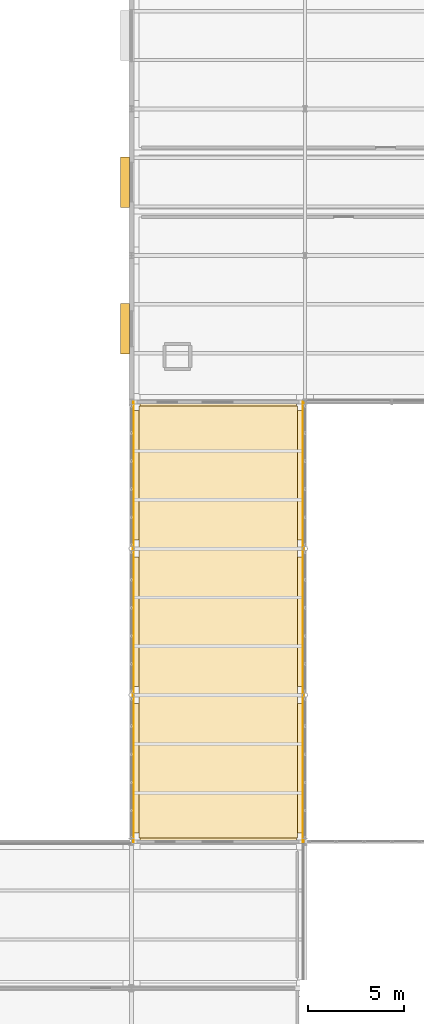
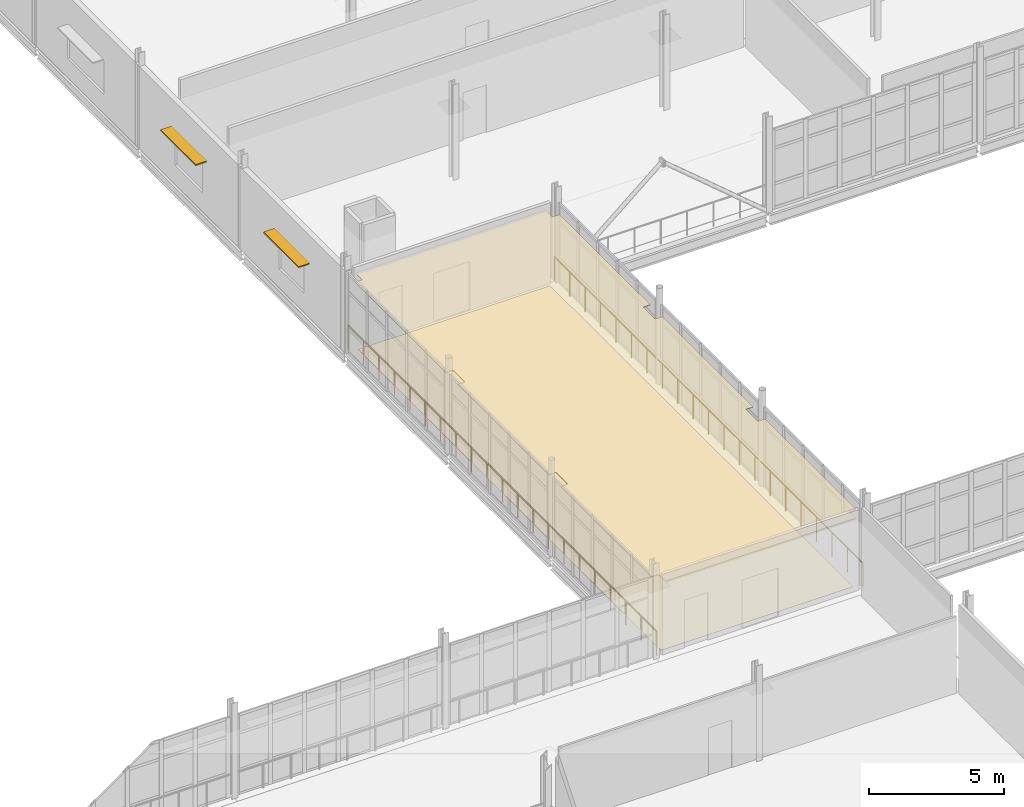
# One storey, part 170 of 174: 2 coverings, 2 railings, 2 shading devices.
"""IFC4 building model written with IfcOpenShell, lengths in metres."""

from ifc_helpers import new_model, si_unit, direction, frame, origin, origin_2d, place, context, subcontext, project, spatial, polyline, rectangle, circle, outline, extrude, material, layer, layer_set, type_object, element, save


model = new_model("IFC4")

# Units and contexts
model_context = context("Model", 3, precision=1e-05, world=origin(), true_north=direction((0.0, 1.0)))
body_context = subcontext(model_context, "Body", "Model", "MODEL_VIEW")
ifc_project = project(units=[si_unit("LENGTHUNIT", "METRE"), si_unit("AREAUNIT", "SQUARE_METRE"), si_unit("VOLUMEUNIT", "CUBIC_METRE"), si_unit("PLANEANGLEUNIT", "RADIAN"), si_unit("MASSUNIT", "GRAM", prefix="KILO")], contexts=[model_context])

# Site, building, storey
site_placement = place(None, origin())
site = spatial("IfcSite", under=ifc_project, at=site_placement, CompositionType="ELEMENT")
building_placement = place(site_placement, origin())
building = spatial("IfcBuilding", under=site, at=building_placement, Name="Caisbarro Railhouse Central Library", CompositionType="ELEMENT")
storey_placement = place(building_placement, frame((0.0, 0.0, 5.0400390625)))
storey = spatial("IfcBuildingStorey", under=building, at=storey_placement, Name="L01", CompositionType="ELEMENT", Elevation=5.0400390625)

# Coverings
ifc_material_1 = material(Name="Slatted acoustic timber baffle ceiling", Category="wood")
ifc_layer_1 = layer(ifc_material_1, 0.031982421875, Name="Slatted acoustic timber baffle ceiling")
ifc_layer_set_1 = layer_set([ifc_layer_1], Name="Slatted acoustic timber baffle ceiling")
covering_type_1 = type_object("IfcCoveringType", Name="COV-CL02", PredefinedType="CEILING", material=ifc_layer_set_1)
covering_1_placement = place(storey_placement, frame((0.0, 0.0, 3.25)))
element("IfcCovering", 1, at=covering_1_placement, inside=storey, type_object=covering_type_1, Name="CL02 acoustic ceiling Courtyard Reading Bridge West L01", PredefinedType="CEILING", context=body_context, shape_type="SweptSolid", body=[
    extrude(outline(polyline([(54.43994140625, 67.9599609375), (54.43994140625, 68.840087890625), (54.139892578125, 68.840087890625), (54.139892578125, 75.56005859375), (54.43994140625, 75.56005859375), (54.43994140625, 76.43994140625), (54.139892578125, 76.43994140625), (54.139892578125, 83.159912109375), (54.43994140625, 83.159912109375), (54.43994140625, 83.659912109375), (62.56005859375, 83.659912109375), (62.56005859375, 83.159912109375), (62.860107421875, 83.159912109375), (62.860107421875, 76.43994140625), (62.56005859375, 76.43994140625), (62.56005859375, 75.56005859375), (62.860107421875, 75.56005859375), (62.860107421875, 68.840087890625), (62.56005859375, 68.840087890625), (62.56005859375, 67.9599609375), (62.860107421875, 67.9599609375), (62.860107421875, 61.239990234375), (62.56005859375, 61.239990234375), (62.56005859375, 60.739990234375), (54.43994140625, 60.739990234375), (54.43994140625, 61.239990234375), (54.139892578125, 61.239990234375), (54.139892578125, 67.9599609375), (54.43994140625, 67.9599609375)])), origin(), (0.0, 0.0, 1.0), 0.031982421875),
])
ifc_material_2 = material(Name="Heavy-duty acoustic linoleum flooring")
ifc_layer_2 = layer(ifc_material_2, 0.011962890625, Name="Heavy-duty acoustic linoleum flooring")
ifc_layer_set_2 = layer_set([ifc_layer_2], Name="Heavy-duty acoustic linoleum flooring")
covering_type_2 = type_object("IfcCoveringType", Name="COV-FL02", PredefinedType="FLOORING", material=ifc_layer_set_2)
covering_2_placement = place(storey_placement, origin())
element("IfcCovering", 2, at=covering_2_placement, inside=storey, type_object=covering_type_2, Name="FL02 flooring Courtyard Reading Bridge West L01", PredefinedType="FLOORING", context=body_context, shape_type="SweptSolid", body=[
    extrude(outline(polyline([(54.39990234375, 61.0), (62.60009765625, 61.0), (62.60009765625, 83.39990234375), (54.39990234375, 83.39990234375), (54.39990234375, 61.0)])), origin(), (0.0, 0.0, 1.0), 0.011962890625),
])

# Railings
ifc_material_3 = material(Name="Laminated safety glass balustrade with stainless top rail", Category="glass")
railing_type = type_object("IfcRailingType", Name="RLG-ATR112", PredefinedType="GUARDRAIL", material=ifc_material_3)
railing_1_placement = place(storey_placement, frame((54.10009765625, 60.800048828125, 0.0)))
element("IfcRailing", 3, at=railing_1_placement, inside=storey, type_object=railing_type, Name="RG02 Interior Void Balustrade L01-16", PredefinedType="GUARDRAIL", context=body_context, shape_type="SweptSolid", body=[
    extrude(circle(Radius=0.02392578125, at=origin_2d()), frame((0.0, 0.0, 1.09619140625), z_axis=(0.0, 1.0, 0.0), x_axis=(-1.0, 0.0, 0.0)), (0.0, 0.0, 1.0), 22.800048828125),
    extrude(circle(Radius=0.02099609375, at=origin_2d()), origin(), (0.0, 0.0, 1.0), 1.072021484375),
    extrude(circle(Radius=0.02099609375, at=origin_2d()), frame((0.0, 1.139892578125, 0.0)), (0.0, 0.0, 1.0), 1.072021484375),
    extrude(circle(Radius=0.02099609375, at=origin_2d()), frame((0.0, 2.280029296875, 0.0)), (0.0, 0.0, 1.0), 1.072021484375),
    extrude(circle(Radius=0.02099609375, at=origin_2d()), frame((0.0, 3.419921875, 0.0)), (0.0, 0.0, 1.0), 1.072021484375),
    extrude(circle(Radius=0.02099609375, at=origin_2d()), frame((0.0, 4.56005859375, 0.0)), (0.0, 0.0, 1.0), 1.072021484375),
    extrude(circle(Radius=0.02099609375, at=origin_2d()), frame((0.0, 5.699951171875, 0.0)), (0.0, 0.0, 1.0), 1.072021484375),
    extrude(circle(Radius=0.02099609375, at=origin_2d()), frame((0.0, 6.840087890625, 0.0)), (0.0, 0.0, 1.0), 1.072021484375),
    extrude(circle(Radius=0.02099609375, at=origin_2d()), frame((0.0, 7.97998046875, 0.0)), (0.0, 0.0, 1.0), 1.072021484375),
    extrude(circle(Radius=0.02099609375, at=origin_2d()), frame((0.0, 9.1201171875, 0.0)), (0.0, 0.0, 1.0), 1.072021484375),
    extrude(circle(Radius=0.02099609375, at=origin_2d()), frame((0.0, 10.260009765625, 0.0)), (0.0, 0.0, 1.0), 1.072021484375),
    extrude(circle(Radius=0.02099609375, at=origin_2d()), frame((0.0, 11.39990234375, 0.0)), (0.0, 0.0, 1.0), 1.072021484375),
    extrude(circle(Radius=0.02099609375, at=origin_2d()), frame((0.0, 12.5400390625, 0.0)), (0.0, 0.0, 1.0), 1.072021484375),
    extrude(circle(Radius=0.02099609375, at=origin_2d()), frame((0.0, 13.679931640625, 0.0)), (0.0, 0.0, 1.0), 1.072021484375),
    extrude(circle(Radius=0.02099609375, at=origin_2d()), frame((0.0, 14.820068359375, 0.0)), (0.0, 0.0, 1.0), 1.072021484375),
    extrude(circle(Radius=0.02099609375, at=origin_2d()), frame((0.0, 15.9599609375, 0.0)), (0.0, 0.0, 1.0), 1.072021484375),
    extrude(circle(Radius=0.02099609375, at=origin_2d()), frame((0.0, 17.10009765625, 0.0)), (0.0, 0.0, 1.0), 1.072021484375),
    extrude(circle(Radius=0.02099609375, at=origin_2d()), frame((0.0, 18.239990234375, 0.0)), (0.0, 0.0, 1.0), 1.072021484375),
    extrude(circle(Radius=0.02099609375, at=origin_2d()), frame((0.0, 19.380126953125, 0.0)), (0.0, 0.0, 1.0), 1.072021484375),
    extrude(circle(Radius=0.02099609375, at=origin_2d()), frame((0.0, 20.52001953125, 0.0)), (0.0, 0.0, 1.0), 1.072021484375),
    extrude(circle(Radius=0.02099609375, at=origin_2d()), frame((0.0, 21.66015625, 0.0)), (0.0, 0.0, 1.0), 1.072021484375),
    extrude(circle(Radius=0.02099609375, at=origin_2d()), frame((0.0, 22.800048828125, 0.0)), (0.0, 0.0, 1.0), 1.072021484375),
])
railing_2_placement = place(storey_placement, frame((62.89990234375, 60.800048828125, 0.0)))
element("IfcRailing", 4, at=railing_2_placement, inside=storey, type_object=railing_type, Name="RG02 Interior Void Balustrade L01-17", PredefinedType="GUARDRAIL", context=body_context, shape_type="SweptSolid", body=[
    extrude(circle(Radius=0.02392578125, at=origin_2d()), frame((0.0, 0.0, 1.09619140625), z_axis=(0.0, 1.0, 0.0), x_axis=(-1.0, 0.0, 0.0)), (0.0, 0.0, 1.0), 22.800048828125),
    extrude(circle(Radius=0.02099609375, at=origin_2d()), origin(), (0.0, 0.0, 1.0), 1.072021484375),
    extrude(circle(Radius=0.02099609375, at=origin_2d()), frame((0.0, 1.139892578125, 0.0)), (0.0, 0.0, 1.0), 1.072021484375),
    extrude(circle(Radius=0.02099609375, at=origin_2d()), frame((0.0, 2.280029296875, 0.0)), (0.0, 0.0, 1.0), 1.072021484375),
    extrude(circle(Radius=0.02099609375, at=origin_2d()), frame((0.0, 3.419921875, 0.0)), (0.0, 0.0, 1.0), 1.072021484375),
    extrude(circle(Radius=0.02099609375, at=origin_2d()), frame((0.0, 4.56005859375, 0.0)), (0.0, 0.0, 1.0), 1.072021484375),
    extrude(circle(Radius=0.02099609375, at=origin_2d()), frame((0.0, 5.699951171875, 0.0)), (0.0, 0.0, 1.0), 1.072021484375),
    extrude(circle(Radius=0.02099609375, at=origin_2d()), frame((0.0, 6.840087890625, 0.0)), (0.0, 0.0, 1.0), 1.072021484375),
    extrude(circle(Radius=0.02099609375, at=origin_2d()), frame((0.0, 7.97998046875, 0.0)), (0.0, 0.0, 1.0), 1.072021484375),
    extrude(circle(Radius=0.02099609375, at=origin_2d()), frame((0.0, 9.1201171875, 0.0)), (0.0, 0.0, 1.0), 1.072021484375),
    extrude(circle(Radius=0.02099609375, at=origin_2d()), frame((0.0, 10.260009765625, 0.0)), (0.0, 0.0, 1.0), 1.072021484375),
    extrude(circle(Radius=0.02099609375, at=origin_2d()), frame((0.0, 11.39990234375, 0.0)), (0.0, 0.0, 1.0), 1.072021484375),
    extrude(circle(Radius=0.02099609375, at=origin_2d()), frame((0.0, 12.5400390625, 0.0)), (0.0, 0.0, 1.0), 1.072021484375),
    extrude(circle(Radius=0.02099609375, at=origin_2d()), frame((0.0, 13.679931640625, 0.0)), (0.0, 0.0, 1.0), 1.072021484375),
    extrude(circle(Radius=0.02099609375, at=origin_2d()), frame((0.0, 14.820068359375, 0.0)), (0.0, 0.0, 1.0), 1.072021484375),
    extrude(circle(Radius=0.02099609375, at=origin_2d()), frame((0.0, 15.9599609375, 0.0)), (0.0, 0.0, 1.0), 1.072021484375),
    extrude(circle(Radius=0.02099609375, at=origin_2d()), frame((0.0, 17.10009765625, 0.0)), (0.0, 0.0, 1.0), 1.072021484375),
    extrude(circle(Radius=0.02099609375, at=origin_2d()), frame((0.0, 18.239990234375, 0.0)), (0.0, 0.0, 1.0), 1.072021484375),
    extrude(circle(Radius=0.02099609375, at=origin_2d()), frame((0.0, 19.380126953125, 0.0)), (0.0, 0.0, 1.0), 1.072021484375),
    extrude(circle(Radius=0.02099609375, at=origin_2d()), frame((0.0, 20.52001953125, 0.0)), (0.0, 0.0, 1.0), 1.072021484375),
    extrude(circle(Radius=0.02099609375, at=origin_2d()), frame((0.0, 21.66015625, 0.0)), (0.0, 0.0, 1.0), 1.072021484375),
    extrude(circle(Radius=0.02099609375, at=origin_2d()), frame((0.0, 22.800048828125, 0.0)), (0.0, 0.0, 1.0), 1.072021484375),
])

# Shading devices
ifc_material_4 = material(Name="Anodised architectural aluminium", Category="aluminium")
ifc_layer_3 = layer(ifc_material_4, 0.050048828125, Name="Anodised architectural aluminium")
ifc_layer_set_3 = layer_set([ifc_layer_3], Name="Anodised architectural aluminium")
shading_device_type = type_object("IfcShadingDeviceType", Name="SHD-JAL01", PredefinedType="JALOUSIE", material=ifc_layer_set_3)
for number, where, z_axis, x_axis, name in (
    (5, (53.669921875, 87.39990234375, 2.384765625), (0.0, 0.0, 1.0), (0.0, 1.0, 0.0), "JL01 solar brise-soleil L01-46"),
    (6, (53.669921875, 95.0, 2.384765625), (0.0, 0.0, 1.0), (0.0, 1.0, 0.0), "JL01 solar brise-soleil L01-47"),
):
    element("IfcShadingDevice", number, at=place(storey_placement, frame(where, z_axis=z_axis, x_axis=x_axis)), inside=storey, type_object=shading_device_type, Name=name, PredefinedType="JALOUSIE", context=body_context, shape_type="SweptSolid", body=[
        extrude(rectangle(XDim=2.60009765625, YDim=0.47998046875, at=origin_2d()), origin(), (0.0, 0.0, 1.0), 0.050048828125),
    ])

save(model, "model.ifc")
